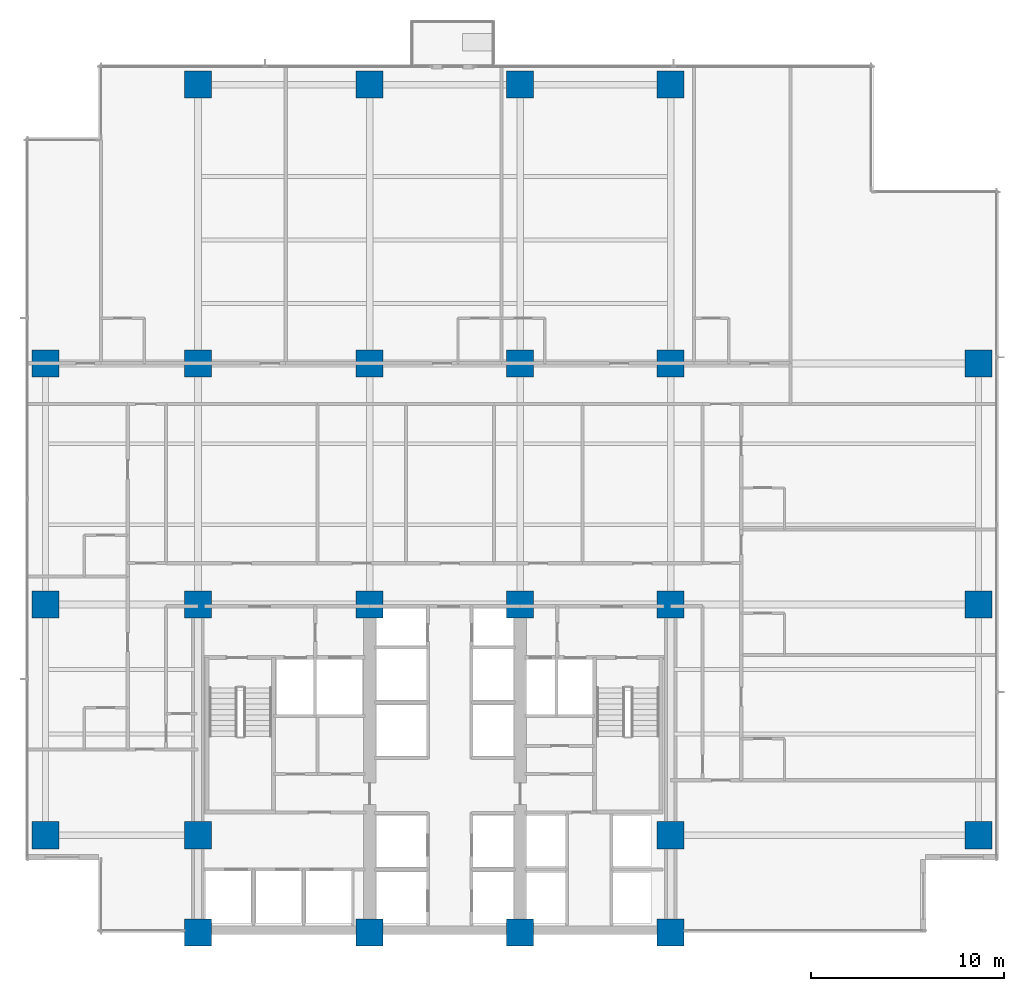
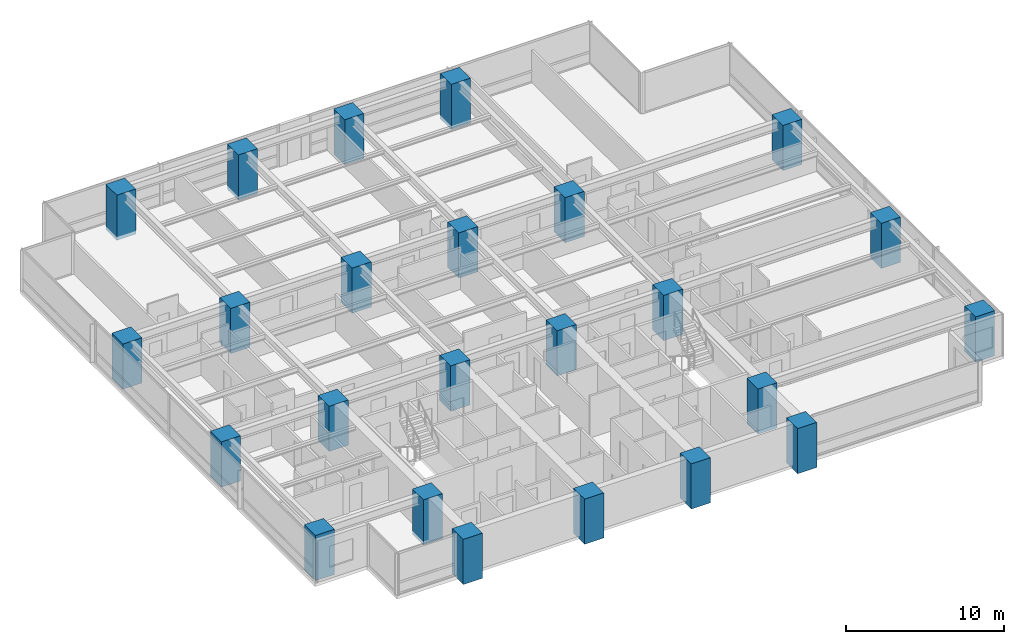
# One storey, part 1 of 17: 24 columns.
"""IFC4 building model written with IfcOpenShell, lengths in metres."""

from ifc_helpers import new_model, si_unit, direction, frame, origin, origin_2d, place, context, subcontext, project, spatial, rectangle, extrude, material, material_profile, profile_set, type_object, element, save


model = new_model("IFC4")

# Units and contexts
model_context = context("Model", 3, precision=1e-05, world=origin(), true_north=direction((0.0, 1.0)))
body_context = subcontext(model_context, "Body", "Model", "MODEL_VIEW")
ifc_project = project(units=[si_unit("LENGTHUNIT", "METRE"), si_unit("AREAUNIT", "SQUARE_METRE"), si_unit("VOLUMEUNIT", "CUBIC_METRE"), si_unit("PLANEANGLEUNIT", "RADIAN"), si_unit("MASSUNIT", "GRAM", prefix="KILO")], contexts=[model_context])

# Site, building, storey
site_placement = place(None, origin())
site = spatial("IfcSite", under=ifc_project, at=site_placement, CompositionType="ELEMENT")
building_placement = place(site_placement, origin())
building = spatial("IfcBuilding", under=site, at=building_placement, Name="Qalmaran Belvedere Hotel", CompositionType="ELEMENT")
storey_placement = place(building_placement, frame((0.0, 0.0, 47.39990234375)))
storey = spatial("IfcBuildingStorey", under=building, at=storey_placement, Name="L11", CompositionType="ELEMENT", Elevation=47.39990234375)

# Columns
ifc_material = material(Name="Concrete C60/75", Category="concrete")
ifc_material_profile = material_profile(ifc_material, rectangle(XDim=1.39990234375, YDim=1.39990234375, at=origin_2d()), Name="CC1400X1400")
ifc_profile_set = profile_set([ifc_material_profile], Name="Concrete C60/75")
column_type = type_object("IfcColumnType", Name="COL-Z1-CC1400", PredefinedType="COLUMN", material=ifc_profile_set)
for number, where, z_axis, x_axis, name in (
    (1, (20.300048828125, 3.5, -0.27978515625), (0.0, 0.0, 1.0), (1.0, 0.0, 0.0), "L11 Column C4B"),
    (2, (29.199951171875, 3.5, -0.27978515625), (0.0, 0.0, 1.0), (1.0, 0.0, 0.0), "L11 Column C5B"),
    (3, (37.0, 3.5, -0.27978515625), (0.0, 0.0, 1.0), (1.0, 0.0, 0.0), "L11 Column C6B"),
    (4, (44.800048828125, 3.5, -0.27978515625), (0.0, 0.0, 1.0), (1.0, 0.0, 0.0), "L11 Column C7B"),
    (5, (20.300048828125, 8.550048828125, -0.27978515625), (0.0, 0.0, 1.0), (1.0, 0.0, 0.0), "L11 Column C4C"),
    (6, (44.800048828125, 8.550048828125, -0.27978515625), (0.0, 0.0, 1.0), (1.0, 0.0, 0.0), "L11 Column C7C"),
    (7, (20.300048828125, 20.5, -0.27978515625), (0.0, 0.0, 1.0), (1.0, 0.0, 0.0), "L11 Column C4D"),
    (8, (29.199951171875, 20.5, -0.27978515625), (0.0, 0.0, 1.0), (1.0, 0.0, 0.0), "L11 Column C5D"),
    (9, (37.0, 20.5, -0.27978515625), (0.0, 0.0, 1.0), (1.0, 0.0, 0.0), "L11 Column C6D"),
    (10, (44.800048828125, 20.5, -0.27978515625), (0.0, 0.0, 1.0), (1.0, 0.0, 0.0), "L11 Column C7D"),
    (11, (20.300048828125, 33.0, -0.27978515625), (0.0, 0.0, 1.0), (1.0, 0.0, 0.0), "L11 Column C4F"),
    (12, (29.199951171875, 33.0, -0.27978515625), (0.0, 0.0, 1.0), (1.0, 0.0, 0.0), "L11 Column C5F"),
    (13, (37.0, 33.0, -0.27978515625), (0.0, 0.0, 1.0), (1.0, 0.0, 0.0), "L11 Column C6F"),
    (14, (44.800048828125, 33.0, -0.27978515625), (0.0, 0.0, 1.0), (1.0, 0.0, 0.0), "L11 Column C7F"),
    (15, (12.39990234375, 8.550048828125, -0.27978515625), (0.0, 0.0, 1.0), (1.0, 0.0, 0.0), "L11 Column CW1"),
    (16, (12.39990234375, 20.5, -0.27978515625), (0.0, 0.0, 1.0), (1.0, 0.0, 0.0), "L11 Column CW3"),
    (17, (12.39990234375, 33.0, -0.27978515625), (0.0, 0.0, 1.0), (1.0, 0.0, 0.0), "L11 Column CW4"),
    (18, (60.75, 8.550048828125, -0.27978515625), (0.0, 0.0, 1.0), (1.0, 0.0, 0.0), "L11 Column CE1"),
    (19, (60.75, 20.5, -0.27978515625), (0.0, 0.0, 1.0), (1.0, 0.0, 0.0), "L11 Column CE3"),
    (20, (60.75, 33.0, -0.27978515625), (0.0, 0.0, 1.0), (1.0, 0.0, 0.0), "L11 Column CE4"),
    (21, (20.300048828125, 47.449951171875, -0.27978515625), (0.0, 0.0, 1.0), (1.0, 0.0, 0.0), "L11 Column CN1"),
    (22, (29.199951171875, 47.449951171875, -0.27978515625), (0.0, 0.0, 1.0), (1.0, 0.0, 0.0), "L11 Column CN2"),
    (23, (37.0, 47.449951171875, -0.27978515625), (0.0, 0.0, 1.0), (1.0, 0.0, 0.0), "L11 Column CN3"),
    (24, (44.800048828125, 47.449951171875, -0.27978515625), (0.0, 0.0, 1.0), (1.0, 0.0, 0.0), "L11 Column CN4"),
):
    element("IfcColumn", number, at=place(storey_placement, frame(where, z_axis=z_axis, x_axis=x_axis)), inside=storey, type_object=column_type, Name=name, PredefinedType="COLUMN", context=body_context, shape_type="SweptSolid", body=[
        extrude(rectangle(XDim=1.39990234375, YDim=1.39990234375, at=origin_2d()), origin(), (0.0, 0.0, 1.0), 3.5),
    ])

save(model, "model.ifc")
